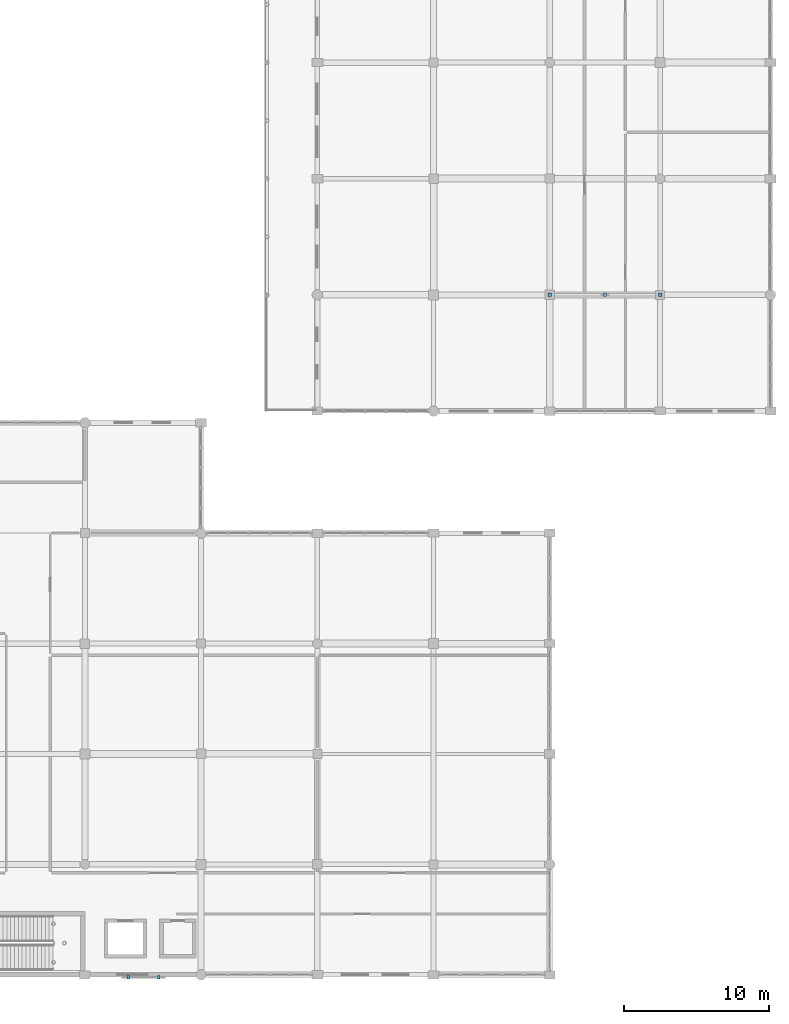
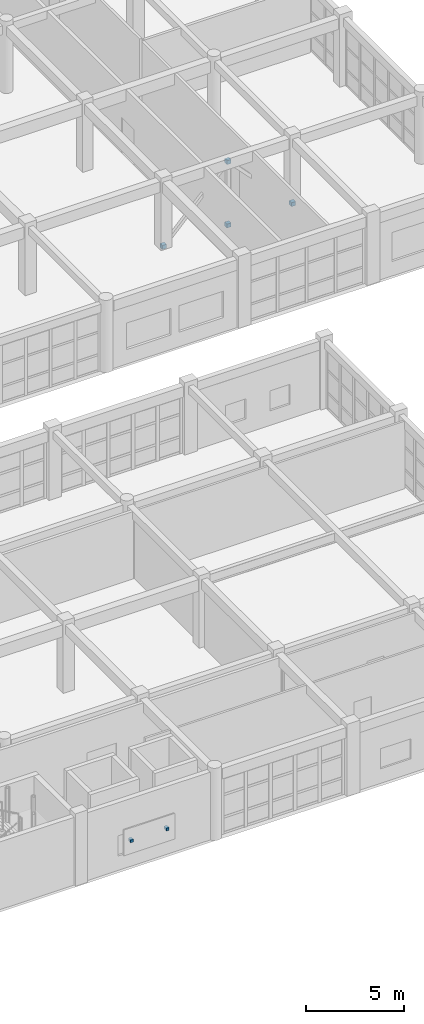
# One storey, part 143 of 160: 6 discrete accessories.
"""IFC4 building model written with IfcOpenShell, lengths in metres."""

from ifc_helpers import new_model, si_unit, direction, frame, origin, origin_2d, place, context, subcontext, project, spatial, rectangle, extrude, material, type_object, element, save


model = new_model("IFC4")

# Units and contexts
model_context = context("Model", 3, precision=1e-05, world=origin(), true_north=direction((0.0, 1.0)))
body_context = subcontext(model_context, "Body", "Model", "MODEL_VIEW")
ifc_project = project(units=[si_unit("LENGTHUNIT", "METRE"), si_unit("AREAUNIT", "SQUARE_METRE"), si_unit("VOLUMEUNIT", "CUBIC_METRE"), si_unit("PLANEANGLEUNIT", "RADIAN"), si_unit("MASSUNIT", "GRAM", prefix="KILO")], contexts=[model_context])

# Site, building, storey
site_placement = place(None, origin())
site = spatial("IfcSite", under=ifc_project, at=site_placement, CompositionType="ELEMENT")
building_placement = place(site_placement, origin())
building = spatial("IfcBuilding", under=site, at=building_placement, Name="Kharva Crest Polytechnic", CompositionType="ELEMENT")
storey_placement = place(building_placement, frame((0.0, 0.0, 4.5)))
storey = spatial("IfcBuildingStorey", under=building, at=storey_placement, Name="L01", CompositionType="ELEMENT", Elevation=4.5)

# Discrete accessories
ifc_material_1 = material(Name="Anodised aluminium", Category="aluminium")
discrete_accessory_type_1 = type_object("IfcDiscreteAccessoryType", Name="ACC-BRK-JAALI", PredefinedType="BRACKET", material=ifc_material_1)
for number, where, z_axis, x_axis, name in (
    (1, (139.7763671875, -0.1650390625, 1.56982421875), (0.0, 0.0, 1.0), (1.0, 0.0, 0.0), "L01 Jaali Screen Bracket 34.1"),
    (2, (141.876220703125, -0.1650390625, 1.56982421875), (0.0, 0.0, 1.0), (1.0, 0.0, 0.0), "L01 Jaali Screen Bracket 34.2"),
):
    element("IfcDiscreteAccessory", number, at=place(storey_placement, frame(where, z_axis=z_axis, x_axis=x_axis)), inside=storey, type_object=discrete_accessory_type_1, Name=name, PredefinedType="BRACKET", context=body_context, shape_type="SweptSolid", body=[
        extrude(rectangle(XDim=0.159912109375, YDim=0.239990234375, at=origin_2d()), origin(), (0.0, 0.0, 1.0), 0.159912109375),
    ])
ifc_material_2 = material(Name="Steel S355", Category="steel")
discrete_accessory_type_2 = type_object("IfcDiscreteAccessoryType", Name="ACC-SHOE-BF240", PredefinedType="SHOE", material=ifc_material_2)
for number, where, z_axis, x_axis, name in (
    (3, (168.800048828125, 46.800048828125, -0.1201171875), (0.0, 0.0, 1.0), (1.0, 0.0, 0.0), "L01 Brace Foot Shoe 8A"),
    (4, (176.39990234375, 46.800048828125, -0.1201171875), (0.0, 0.0, 1.0), (1.0, 0.0, 0.0), "L01 Brace Foot Shoe 8B"),
    (5, (172.60009765625, 46.800048828125, 3.830078125), (0.0, 0.0, 1.0), (1.0, 0.0, 0.0), "L01 Brace TOP Shoe 8"),
    (6, (172.60009765625, 46.800048828125, -0.1201171875), (0.0, 0.0, 1.0), (1.0, 0.0, 0.0), "L01 Brace BOT Shoe 8"),
):
    element("IfcDiscreteAccessory", number, at=place(storey_placement, frame(where, z_axis=z_axis, x_axis=x_axis)), inside=storey, type_object=discrete_accessory_type_2, Name=name, PredefinedType="SHOE", context=body_context, shape_type="SweptSolid", body=[
        extrude(rectangle(XDim=0.239990234375, YDim=0.239990234375, at=origin_2d()), origin(), (0.0, 0.0, 1.0), 0.239990234375),
    ])

save(model, "model.ifc")
